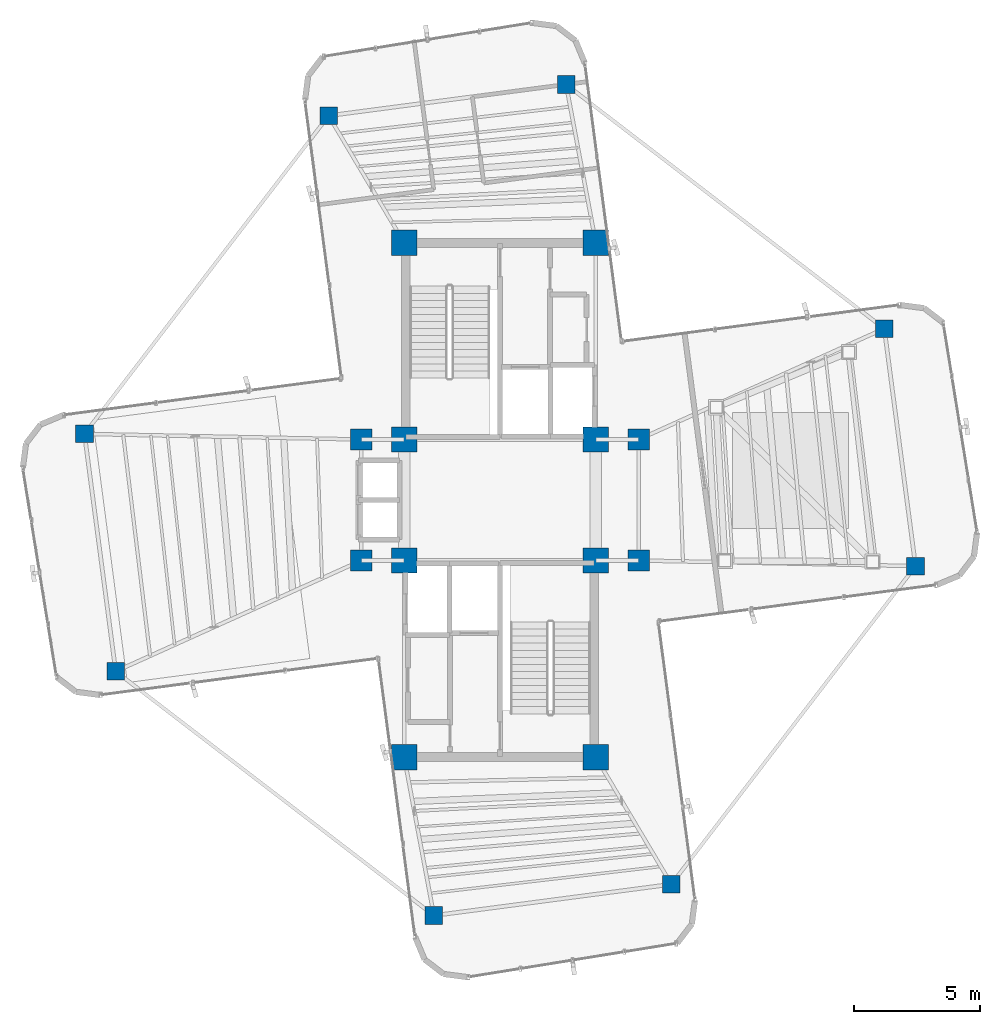
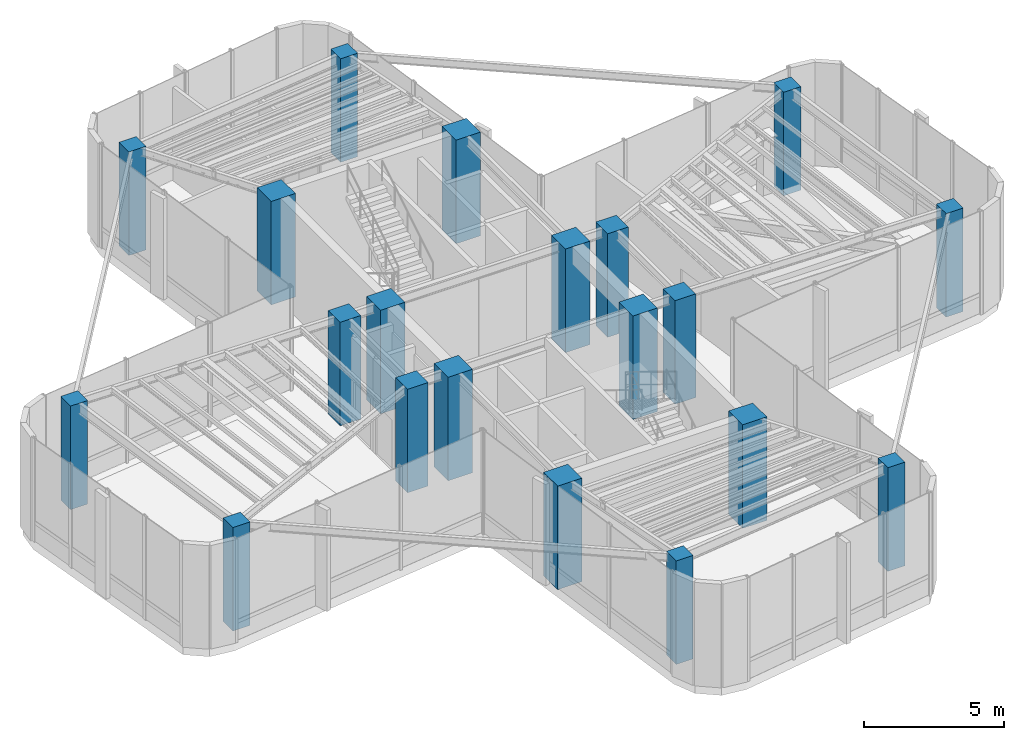
# One storey, part 1 of 16: 20 columns.
"""IFC4 building model written with IfcOpenShell, lengths in metres."""

from ifc_helpers import new_model, si_unit, direction, frame, origin, origin_2d, place, context, subcontext, project, spatial, rectangle, extrude, source, transform, mapped, material, material_profile, profile_set, type_object, element, save


model = new_model("IFC4")

# Units and contexts
model_context = context("Model", 3, precision=1e-05, world=origin(), true_north=direction((0.0, 1.0)))
body_context = subcontext(model_context, "Body", "Model", "MODEL_VIEW")
ifc_project = project(units=[si_unit("LENGTHUNIT", "METRE"), si_unit("AREAUNIT", "SQUARE_METRE"), si_unit("VOLUMEUNIT", "CUBIC_METRE"), si_unit("PLANEANGLEUNIT", "RADIAN"), si_unit("MASSUNIT", "GRAM", prefix="KILO")], contexts=[model_context])

# Site, building, storey
site_placement = place(None, origin())
site = spatial("IfcSite", under=ifc_project, at=site_placement, CompositionType="ELEMENT")
building_placement = place(site_placement, origin())
building = spatial("IfcBuilding", under=site, at=building_placement, Name="Sahyath Konkavel Grand Hotel", CompositionType="ELEMENT")
storey_placement = place(building_placement, frame((0.0, 0.0, 280.300048828125)))
storey = spatial("IfcBuildingStorey", under=building, at=storey_placement, Name="L78", CompositionType="ELEMENT", Elevation=280.300048828125)

# Columns
ifc_material_1 = material(Name="Concrete C50/60", Category="concrete")
ifc_material_profile_1 = material_profile(ifc_material_1, rectangle(XDim=1.0, YDim=1.0, at=origin_2d()), Name="RC 1000x1000")
ifc_profile_set_1 = profile_set([ifc_material_profile_1], Name="Concrete C50/60")
column_type_1 = type_object("IfcColumnType", Name="COL-RC1000", PredefinedType="COLUMN", material=ifc_profile_set_1)
shared_shape_1 = source(origin(), body_context, "Body", "SweptSolid", [
    extrude(rectangle(XDim=1.0, YDim=1.0, at=origin_2d()), origin(), (0.0, 0.0, 1.0), 4.5),
])
for number, where, z_axis, x_axis, name in (
    (1, (-3.800048828125, 2.39990234375, 0.0), (0.0, 0.0, 1.0), (1.0, 0.0, 0.0), "L78 Core Boundary Column NC-SW"),
    (2, (3.800048828125, 2.39990234375, 0.0), (0.0, 0.0, 1.0), (1.0, 0.0, 0.0), "L78 Core Boundary Column NC-SE"),
    (3, (-3.800048828125, 10.199951171875, 0.0), (0.0, 0.0, 1.0), (1.0, 0.0, 0.0), "L78 Core Boundary Column NC-NW"),
    (4, (3.800048828125, 10.199951171875, 0.0), (0.0, 0.0, 1.0), (1.0, 0.0, 0.0), "L78 Core Boundary Column NC-NE"),
    (5, (-3.800048828125, -2.39990234375, 0.0), (0.0, 0.0, 1.0), (1.0, 0.0, 0.0), "L78 Core Boundary Column SC-NW"),
    (6, (3.800048828125, -2.39990234375, 0.0), (0.0, 0.0, 1.0), (1.0, 0.0, 0.0), "L78 Core Boundary Column SC-NE"),
    (7, (-3.800048828125, -10.199951171875, 0.0), (0.0, 0.0, 1.0), (1.0, 0.0, 0.0), "L78 Core Boundary Column SC-SW"),
    (8, (3.800048828125, -10.199951171875, 0.0), (0.0, 0.0, 1.0), (1.0, 0.0, 0.0), "L78 Core Boundary Column SC-SE"),
):
    element("IfcColumn", number, at=place(storey_placement, frame(where, z_axis=z_axis, x_axis=x_axis)), inside=storey, type_object=column_type_1, Name=name, PredefinedType="COLUMN", context=body_context, shape_type="MappedRepresentation", body=[
        mapped(shared_shape_1, transform((0.0, 0.0, 0.0), scale=1.0)),
    ])
ifc_material_2 = material(Name="Concrete C40/50", Category="concrete")
ifc_material_profile_2 = material_profile(ifc_material_2, rectangle(XDim=0.85009765625, YDim=0.85009765625, at=origin_2d()), Name="RC 850x850")
ifc_profile_set_2 = profile_set([ifc_material_profile_2], Name="Concrete C40/50")
column_type_2 = type_object("IfcColumnType", Name="COL-RC850", PredefinedType="COLUMN", material=ifc_profile_set_2)
shared_shape_2 = source(origin(), body_context, "Body", "SweptSolid", [
    extrude(rectangle(XDim=0.85009765625, YDim=0.85009765625, at=origin_2d()), origin(), (0.0, 0.0, 1.0), 4.5),
])
for number, where, z_axis, x_axis, name in (
    (9, (5.5, 2.39990234375, 0.0), (0.0, 0.0, 1.0), (1.0, 0.0, 0.0), "L78 Central Spine Column HB-NE"),
    (10, (-5.5, 2.39990234375, 0.0), (0.0, 0.0, 1.0), (1.0, 0.0, 0.0), "L78 Central Spine Column HB-NW"),
    (11, (5.5, -2.39990234375, 0.0), (0.0, 0.0, 1.0), (1.0, 0.0, 0.0), "L78 Central Spine Column HB-SE"),
    (12, (-5.5, -2.39990234375, 0.0), (0.0, 0.0, 1.0), (1.0, 0.0, 0.0), "L78 Central Spine Column HB-SW"),
):
    element("IfcColumn", number, at=place(storey_placement, frame(where, z_axis=z_axis, x_axis=x_axis)), inside=storey, type_object=column_type_2, Name=name, PredefinedType="COLUMN", context=body_context, shape_type="MappedRepresentation", body=[
        mapped(shared_shape_2, transform((0.0, 0.0, 0.0), scale=1.0)),
    ])
ifc_material_profile_3 = material_profile(ifc_material_2, rectangle(XDim=0.699951171875, YDim=0.699951171875, at=origin_2d()), Name="RC 700x700")
ifc_profile_set_3 = profile_set([ifc_material_profile_3], Name="Concrete C40/50")
column_type_3 = type_object("IfcColumnType", Name="COL-RC700", PredefinedType="COLUMN", material=ifc_profile_set_3)
shared_shape_3 = source(origin(), body_context, "Body", "SweptSolid", [
    extrude(rectangle(XDim=0.699951171875, YDim=0.699951171875, at=origin_2d()), origin(), (0.0, 0.0, 1.0), 4.5),
])
for number, where, z_axis, x_axis, name in (
    (13, (16.483154296875, -2.620849609375, 0.0), (0.0, 0.0, 1.0), (1.0, 0.0, 0.0), "L78 Cruciform Wing Column WC-EA"),
    (14, (15.2431640625, 6.7978515625, 0.0), (0.0, 0.0, 1.0), (1.0, 0.0, 0.0), "L78 Cruciform Wing Column WC-EB"),
    (15, (2.620849609375, 16.483154296875, 0.0), (0.0, 0.0, 1.0), (1.0, 0.0, 0.0), "L78 Cruciform Wing Column WC-NA"),
    (16, (-6.7978515625, 15.2431640625, 0.0), (0.0, 0.0, 1.0), (1.0, 0.0, 0.0), "L78 Cruciform Wing Column WC-NB"),
    (17, (-16.483154296875, 2.620849609375, 0.0), (0.0, 0.0, 1.0), (1.0, 0.0, 0.0), "L78 Cruciform Wing Column WC-WA"),
    (18, (-15.2431640625, -6.7978515625, 0.0), (0.0, 0.0, 1.0), (1.0, 0.0, 0.0), "L78 Cruciform Wing Column WC-WB"),
    (19, (-2.620849609375, -16.483154296875, 0.0), (0.0, 0.0, 1.0), (1.0, 0.0, 0.0), "L78 Cruciform Wing Column WC-SA"),
    (20, (6.7978515625, -15.2431640625, 0.0), (0.0, 0.0, 1.0), (1.0, 0.0, 0.0), "L78 Cruciform Wing Column WC-SB"),
):
    element("IfcColumn", number, at=place(storey_placement, frame(where, z_axis=z_axis, x_axis=x_axis)), inside=storey, type_object=column_type_3, Name=name, PredefinedType="COLUMN", context=body_context, shape_type="MappedRepresentation", body=[
        mapped(shared_shape_3, transform((0.0, 0.0, 0.0), scale=1.0)),
    ])

save(model, "model.ifc")
